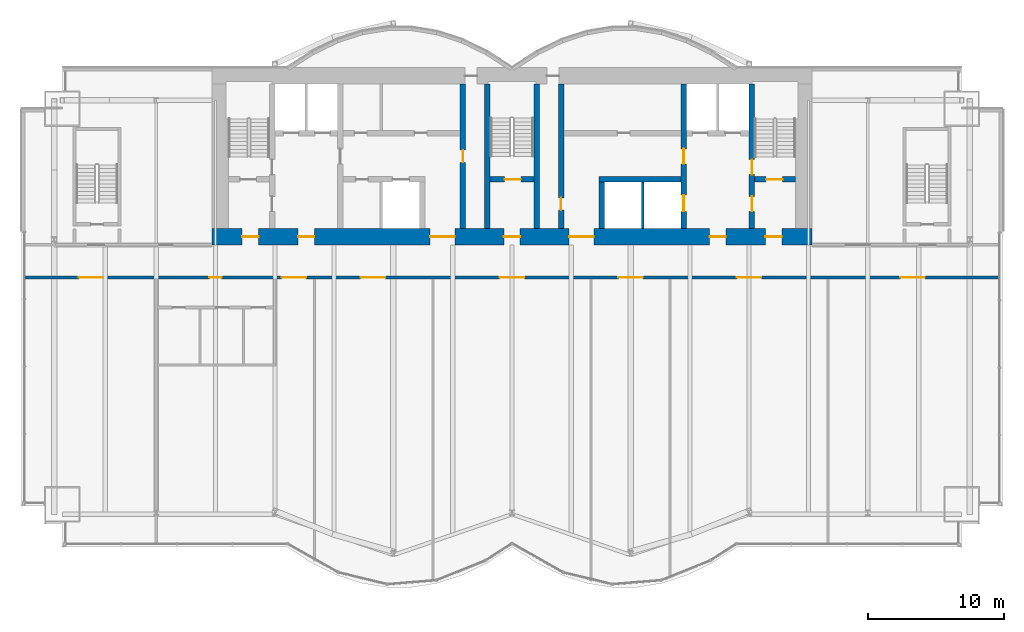
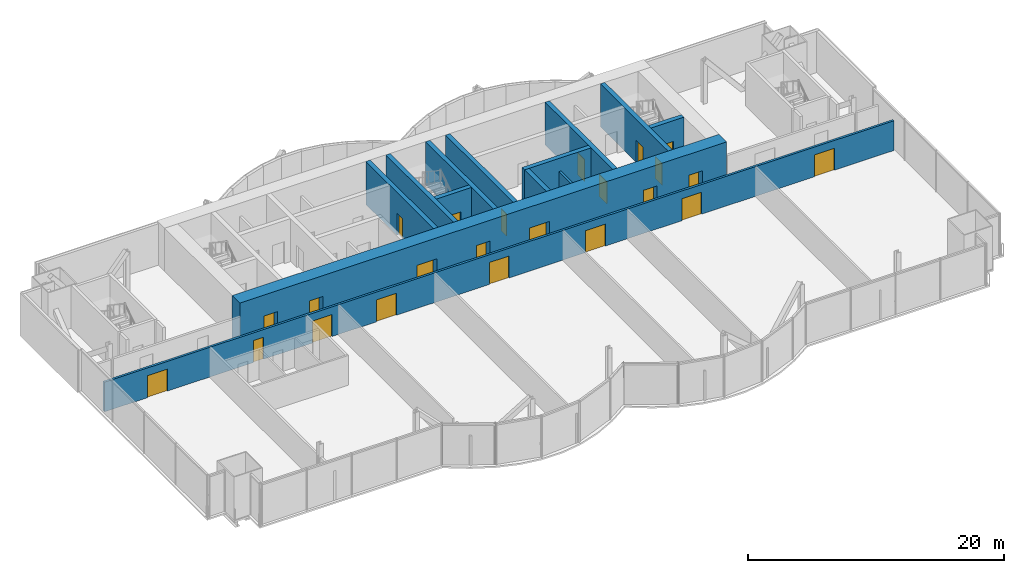
# One storey, part 16 of 21: 23 doors, 13 walls, 23 openings.
"""IFC4 building model written with IfcOpenShell, lengths in metres."""

from ifc_helpers import new_model, si_unit, direction, frame, frame_2d, origin, place, context, subcontext, project, spatial, rectangle, extrude, material, layer, layer_set, type_object, element, fill, save


model = new_model("IFC4")

# Units and contexts
model_context = context("Model", 3, precision=1e-05, world=origin(), true_north=direction((0.0, 1.0)))
body_context = subcontext(model_context, "Body", "Model", "MODEL_VIEW")
ifc_project = project(units=[si_unit("LENGTHUNIT", "METRE"), si_unit("AREAUNIT", "SQUARE_METRE"), si_unit("VOLUMEUNIT", "CUBIC_METRE"), si_unit("PLANEANGLEUNIT", "RADIAN"), si_unit("MASSUNIT", "GRAM", prefix="KILO")], contexts=[model_context])

# Site, building, storey
site_placement = place(None, origin())
site = spatial("IfcSite", under=ifc_project, at=site_placement, CompositionType="ELEMENT")
building_placement = place(site_placement, origin())
building = spatial("IfcBuilding", under=site, at=building_placement, Name="Bicima Exchange Tower", CompositionType="ELEMENT")
storey_placement = place(building_placement, frame((0.0, 0.0, 156.800048828125)))
storey = spatial("IfcBuildingStorey", under=building, at=storey_placement, Name="L34", CompositionType="ELEMENT", Elevation=156.800048828125)

# Wall
ifc_material_1 = material(Name="Gypsum board partition")
ifc_layer_1 = layer(ifc_material_1, 0.199951171875)
ifc_layer_set_1 = layer_set([ifc_layer_1], Name="Gypsum board partition")
wall_type_1 = type_object("IfcWallType", Name="Fire-rated gypsum partition 200 EI120", PredefinedType="PARTITIONING", material=ifc_layer_set_1)
wall_1_placement = place(storey_placement, frame((9.60009765625, -11.800048828125, 0.0), z_axis=(0.0, 0.0, 1.0), x_axis=(0.0, 1.0, 0.0)))
element("IfcWall", 1, at=wall_1_placement, inside=storey, type_object=wall_type_1, Name="partition wall 19", PredefinedType="PARTITIONING", context=body_context, shape_type="SweptSolid", body=[
    extrude(rectangle(XDim=3.400146484375, YDim=0.199951171875, at=frame_2d((1.7001953125, 0.0))), origin(), (0.0, 0.0, 1.0), 2.84033203125),
])

# Wall, openings, doors
ifc_layer_2 = layer(ifc_material_1, 0.199951171875)
ifc_layer_set_2 = layer_set([ifc_layer_2], Name="Gypsum board partition")
wall_type_2 = type_object("IfcWallType", Name="Fire-rated gypsum partition 200 EI60", PredefinedType="PARTITIONING", material=ifc_layer_set_2)
wall_2_placement = place(storey_placement, frame((-35.679931640625, -15.39990234375, 0.0), z_axis=(0.0, 0.0, 1.0), x_axis=(1.0, 0.0, 0.0)))
wall_2 = element("IfcWall", 2, at=wall_2_placement, inside=storey, type_object=wall_type_2, Name="partition wall 3", PredefinedType="PARTITIONING", context=body_context, shape_type="SweptSolid", body=[
    extrude(rectangle(XDim=71.35986328125, YDim=0.199951171875, at=frame_2d((35.679931640625, 0.0))), origin(), (0.0, 0.0, 1.0), 2.84033203125),
])
opening_1_placement = place(wall_2_placement, frame((3.89990234375, 0.0, 0.0)))
opening_1 = element("IfcOpeningElement", 3, at=opening_1_placement, cuts=wall_2, Name="Opening L34-007", PredefinedType="OPENING", context=body_context, shape_type="SweptSolid", body=[
    extrude(rectangle(XDim=1.800048828125, YDim=2.10009765625, at=frame_2d((0.89990234375, 1.050048828125))), frame((0.0, 0.11181640625, 0.0), z_axis=(0.0, -1.0, 0.0), x_axis=(1.0, 0.0, 0.0)), (0.0, 0.0, 1.0), 0.223876953125),
])
opening_2_placement = place(wall_2_placement, frame((13.47998046875, 0.0, 0.0)))
opening_2 = element("IfcOpeningElement", 4, at=opening_2_placement, cuts=wall_2, Name="Opening L34-008", PredefinedType="OPENING", context=body_context, shape_type="SweptSolid", body=[
    extrude(rectangle(XDim=0.89990234375, YDim=2.10009765625, at=frame_2d((0.449951171875, 1.050048828125))), frame((0.0, 0.11181640625, 0.0), z_axis=(0.0, -1.0, 0.0), x_axis=(1.0, 0.0, 0.0)), (0.0, 0.0, 1.0), 0.223876953125),
])
opening_3_placement = place(wall_2_placement, frame((18.780029296875, 0.0, 0.0)))
opening_3 = element("IfcOpeningElement", 5, at=opening_3_placement, cuts=wall_2, Name="Opening L34-012", PredefinedType="OPENING", context=body_context, shape_type="SweptSolid", body=[
    extrude(rectangle(XDim=1.800048828125, YDim=2.10009765625, at=frame_2d((0.89990234375, 1.050048828125))), frame((0.0, 0.11181640625, 0.0), z_axis=(0.0, -1.0, 0.0), x_axis=(1.0, 0.0, 0.0)), (0.0, 0.0, 1.0), 0.223876953125),
])
opening_4_placement = place(wall_2_placement, frame((24.580078125, 0.0, 0.0)))
opening_4 = element("IfcOpeningElement", 6, at=opening_4_placement, cuts=wall_2, Name="Opening L34-013", PredefinedType="OPENING", context=body_context, shape_type="SweptSolid", body=[
    extrude(rectangle(XDim=1.800048828125, YDim=2.10009765625, at=frame_2d((0.89990234375, 1.050048828125))), frame((0.0, 0.11181640625, 0.0), z_axis=(0.0, -1.0, 0.0), x_axis=(1.0, 0.0, 0.0)), (0.0, 0.0, 1.0), 0.223876953125),
])
opening_5_placement = place(wall_2_placement, frame((34.780029296875, 0.0, 0.0)))
opening_5 = element("IfcOpeningElement", 7, at=opening_5_placement, cuts=wall_2, Name="Opening L34-014", PredefinedType="OPENING", context=body_context, shape_type="SweptSolid", body=[
    extrude(rectangle(XDim=1.800048828125, YDim=2.10009765625, at=frame_2d((0.89990234375, 1.050048828125))), frame((0.0, 0.11181640625, 0.0), z_axis=(0.0, -1.0, 0.0), x_axis=(1.0, 0.0, 0.0)), (0.0, 0.0, 1.0), 0.223876953125),
])
opening_6_placement = place(wall_2_placement, frame((43.47998046875, 0.0, 0.0)))
opening_6 = element("IfcOpeningElement", 8, at=opening_6_placement, cuts=wall_2, Name="Opening L34-015", PredefinedType="OPENING", context=body_context, shape_type="SweptSolid", body=[
    extrude(rectangle(XDim=1.800048828125, YDim=2.10009765625, at=frame_2d((0.89990234375, 1.050048828125))), frame((0.0, 0.11181640625, 0.0), z_axis=(0.0, -1.0, 0.0), x_axis=(1.0, 0.0, 0.0)), (0.0, 0.0, 1.0), 0.223876953125),
])
opening_7_placement = place(wall_2_placement, frame((52.179931640625, 0.0, 0.0)))
opening_7 = element("IfcOpeningElement", 9, at=opening_7_placement, cuts=wall_2, Name="Opening L34-016", PredefinedType="OPENING", context=body_context, shape_type="SweptSolid", body=[
    extrude(rectangle(XDim=1.800048828125, YDim=2.10009765625, at=frame_2d((0.89990234375, 1.050048828125))), frame((0.0, 0.11181640625, 0.0), z_axis=(0.0, -1.0, 0.0), x_axis=(1.0, 0.0, 0.0)), (0.0, 0.0, 1.0), 0.223876953125),
])
opening_8_placement = place(wall_2_placement, frame((64.179931640625, 0.0, 0.0)))
opening_8 = element("IfcOpeningElement", 10, at=opening_8_placement, cuts=wall_2, Name="Opening L34-017", PredefinedType="OPENING", context=body_context, shape_type="SweptSolid", body=[
    extrude(rectangle(XDim=1.800048828125, YDim=2.10009765625, at=frame_2d((0.89990234375, 1.050048828125))), frame((0.0, 0.11181640625, 0.0), z_axis=(0.0, -1.0, 0.0), x_axis=(1.0, 0.0, 0.0)), (0.0, 0.0, 1.0), 0.223876953125),
])
ifc_material_2 = material(Name="Steel fire door leaf", Category="steel")
door_type_1 = type_object("IfcDoorType", Name="Door 1800 double swing FD30S", OperationType="DOUBLE_DOOR_SINGLE_SWING", PredefinedType="DOOR", material=ifc_material_2)
door_1_placement = place(opening_1_placement, origin())
door_1 = element("IfcDoor", 11, at=door_1_placement, inside=storey, type_object=door_type_1, Name="Door", OperationType="SINGLE_SWING_LEFT", OverallHeight=2.10009765625, OverallWidth=1.800048828125, PredefinedType="DOOR", context=body_context, shape_type="SweptSolid", body=[
    extrude(rectangle(XDim=1.800048828125, YDim=2.10009765625, at=frame_2d((0.89990234375, 1.050048828125))), frame((0.0, 0.02490234375, 0.0), z_axis=(0.0, -1.0, 0.0), x_axis=(1.0, 0.0, 0.0)), (0.0, 0.0, 1.0), 0.050048828125),
])
fill(opening_1, door_1)
door_2_placement = place(opening_3_placement, origin())
door_2 = element("IfcDoor", 12, at=door_2_placement, inside=storey, type_object=door_type_1, Name="Door", OperationType="SINGLE_SWING_LEFT", OverallHeight=2.10009765625, OverallWidth=1.800048828125, PredefinedType="DOOR", context=body_context, shape_type="SweptSolid", body=[
    extrude(rectangle(XDim=1.800048828125, YDim=2.10009765625, at=frame_2d((0.89990234375, 1.050048828125))), frame((0.0, 0.02490234375, 0.0), z_axis=(0.0, -1.0, 0.0), x_axis=(1.0, 0.0, 0.0)), (0.0, 0.0, 1.0), 0.050048828125),
])
fill(opening_3, door_2)
door_3_placement = place(opening_4_placement, origin())
door_3 = element("IfcDoor", 13, at=door_3_placement, inside=storey, type_object=door_type_1, Name="Door", OperationType="SINGLE_SWING_LEFT", OverallHeight=2.10009765625, OverallWidth=1.800048828125, PredefinedType="DOOR", context=body_context, shape_type="SweptSolid", body=[
    extrude(rectangle(XDim=1.800048828125, YDim=2.10009765625, at=frame_2d((0.89990234375, 1.050048828125))), frame((0.0, 0.02490234375, 0.0), z_axis=(0.0, -1.0, 0.0), x_axis=(1.0, 0.0, 0.0)), (0.0, 0.0, 1.0), 0.050048828125),
])
fill(opening_4, door_3)
door_4_placement = place(opening_5_placement, origin())
door_4 = element("IfcDoor", 14, at=door_4_placement, inside=storey, type_object=door_type_1, Name="Door", OperationType="SINGLE_SWING_LEFT", OverallHeight=2.10009765625, OverallWidth=1.800048828125, PredefinedType="DOOR", context=body_context, shape_type="SweptSolid", body=[
    extrude(rectangle(XDim=1.800048828125, YDim=2.10009765625, at=frame_2d((0.89990234375, 1.050048828125))), frame((0.0, 0.02490234375, 0.0), z_axis=(0.0, -1.0, 0.0), x_axis=(1.0, 0.0, 0.0)), (0.0, 0.0, 1.0), 0.050048828125),
])
fill(opening_5, door_4)
door_5_placement = place(opening_6_placement, origin())
door_5 = element("IfcDoor", 15, at=door_5_placement, inside=storey, type_object=door_type_1, Name="Door", OperationType="SINGLE_SWING_LEFT", OverallHeight=2.10009765625, OverallWidth=1.800048828125, PredefinedType="DOOR", context=body_context, shape_type="SweptSolid", body=[
    extrude(rectangle(XDim=1.800048828125, YDim=2.10009765625, at=frame_2d((0.89990234375, 1.050048828125))), frame((0.0, 0.02490234375, 0.0), z_axis=(0.0, -1.0, 0.0), x_axis=(1.0, 0.0, 0.0)), (0.0, 0.0, 1.0), 0.050048828125),
])
fill(opening_6, door_5)
door_6_placement = place(opening_7_placement, origin())
door_6 = element("IfcDoor", 16, at=door_6_placement, inside=storey, type_object=door_type_1, Name="Door", OperationType="SINGLE_SWING_LEFT", OverallHeight=2.10009765625, OverallWidth=1.800048828125, PredefinedType="DOOR", context=body_context, shape_type="SweptSolid", body=[
    extrude(rectangle(XDim=1.800048828125, YDim=2.10009765625, at=frame_2d((0.89990234375, 1.050048828125))), frame((0.0, 0.02490234375, 0.0), z_axis=(0.0, -1.0, 0.0), x_axis=(1.0, 0.0, 0.0)), (0.0, 0.0, 1.0), 0.050048828125),
])
fill(opening_7, door_6)
door_7_placement = place(opening_8_placement, origin())
door_7 = element("IfcDoor", 17, at=door_7_placement, inside=storey, type_object=door_type_1, Name="Door", OperationType="SINGLE_SWING_LEFT", OverallHeight=2.10009765625, OverallWidth=1.800048828125, PredefinedType="DOOR", context=body_context, shape_type="SweptSolid", body=[
    extrude(rectangle(XDim=1.800048828125, YDim=2.10009765625, at=frame_2d((0.89990234375, 1.050048828125))), frame((0.0, 0.02490234375, 0.0), z_axis=(0.0, -1.0, 0.0), x_axis=(1.0, 0.0, 0.0)), (0.0, 0.0, 1.0), 0.050048828125),
])
fill(opening_8, door_7)
door_type_2 = type_object("IfcDoorType", Name="Door 900 swing FD30S", OperationType="SINGLE_SWING_LEFT", PredefinedType="DOOR", material=ifc_material_2)
door_8_placement = place(opening_2_placement, frame((0.89990234375, 0.0, 0.0), z_axis=(0.0, 0.0, 1.0), x_axis=(-1.0, 0.0, 0.0)))
door_8 = element("IfcDoor", 18, at=door_8_placement, inside=storey, type_object=door_type_2, Name="Door", OperationType="SINGLE_SWING_RIGHT", OverallHeight=2.10009765625, OverallWidth=0.89990234375, PredefinedType="DOOR", context=body_context, shape_type="SweptSolid", body=[
    extrude(rectangle(XDim=0.89990234375, YDim=2.10009765625, at=frame_2d((0.449951171875, 1.050048828125))), frame((0.0, 0.02490234375, 0.0), z_axis=(0.0, -1.0, 0.0), x_axis=(1.0, 0.0, 0.0)), (0.0, 0.0, 1.0), 0.050048828125),
])
fill(opening_2, door_8)

ifc_material_3 = material(Name="Concrete C50/60", Category="concrete")
ifc_layer_3 = layer(ifc_material_3, 1.199951171875)
ifc_layer_set_3 = layer_set([ifc_layer_3], Name="Concrete C50/60")
wall_type_3 = type_object("IfcWallType", Name="RC core wall 1200 C50/60", PredefinedType="SHEAR", material=ifc_layer_set_3)
wall_3_placement = place(storey_placement, frame((-22.0, -12.39990234375, 0.0), z_axis=(0.0, 0.0, 1.0), x_axis=(1.0, 0.0, 0.0)))
wall_3 = element("IfcWall", 19, at=wall_3_placement, inside=storey, type_object=wall_type_3, Name="Core wall south", PredefinedType="SHEAR", context=body_context, shape_type="SweptSolid", body=[
    extrude(rectangle(XDim=44.0, YDim=1.199951171875, at=frame_2d((22.0, 0.0))), origin(), (0.0, 0.0, 1.0), 4.099853515625),
])
opening_9_placement = place(wall_3_placement, frame((2.199951171875, 0.0, 0.0)))
opening_9 = element("IfcOpeningElement", 20, at=opening_9_placement, cuts=wall_3, Name="Opening L34-C18", PredefinedType="OPENING", context=body_context, shape_type="SweptSolid", body=[
    extrude(rectangle(XDim=1.199951171875, YDim=2.10009765625, at=frame_2d((0.60009765625, 1.050048828125))), frame((0.0, 0.61181640625, 0.0), z_axis=(0.0, -1.0, 0.0), x_axis=(1.0, 0.0, 0.0)), (0.0, 0.0, 1.0), 1.223876953125),
])
opening_10_placement = place(wall_3_placement, frame((21.39990234375, 0.0, 0.0)))
opening_10 = element("IfcOpeningElement", 21, at=opening_10_placement, cuts=wall_3, Name="Opening L34-C19", PredefinedType="OPENING", context=body_context, shape_type="SweptSolid", body=[
    extrude(rectangle(XDim=1.199951171875, YDim=2.10009765625, at=frame_2d((0.60009765625, 1.050048828125))), frame((0.0, 0.61181640625, 0.0), z_axis=(0.0, -1.0, 0.0), x_axis=(1.0, 0.0, 0.0)), (0.0, 0.0, 1.0), 1.223876953125),
])
opening_11_placement = place(wall_3_placement, frame((40.60009765625, 0.0, 0.0)))
opening_11 = element("IfcOpeningElement", 22, at=opening_11_placement, cuts=wall_3, Name="Opening L34-C20", PredefinedType="OPENING", context=body_context, shape_type="SweptSolid", body=[
    extrude(rectangle(XDim=1.199951171875, YDim=2.10009765625, at=frame_2d((0.60009765625, 1.050048828125))), frame((0.0, 0.61181640625, 0.0), z_axis=(0.0, -1.0, 0.0), x_axis=(1.0, 0.0, 0.0)), (0.0, 0.0, 1.0), 1.223876953125),
])
opening_12_placement = place(wall_3_placement, frame((16.0, 0.0, 0.0)))
opening_12 = element("IfcOpeningElement", 23, at=opening_12_placement, cuts=wall_3, Name="Opening L34-C21", PredefinedType="OPENING", context=body_context, shape_type="SweptSolid", body=[
    extrude(rectangle(XDim=1.800048828125, YDim=2.10009765625, at=frame_2d((0.89990234375, 1.050048828125))), frame((0.0, 0.61181640625, 0.0), z_axis=(0.0, -1.0, 0.0), x_axis=(1.0, 0.0, 0.0)), (0.0, 0.0, 1.0), 1.223876953125),
])
opening_13_placement = place(wall_3_placement, frame((6.300048828125, 0.0, 0.0)))
opening_13 = element("IfcOpeningElement", 24, at=opening_13_placement, cuts=wall_3, Name="Opening L34-C22", PredefinedType="OPENING", context=body_context, shape_type="SweptSolid", body=[
    extrude(rectangle(XDim=1.199951171875, YDim=2.10009765625, at=frame_2d((0.60009765625, 1.050048828125))), frame((0.0, 0.61181640625, 0.0), z_axis=(0.0, -1.0, 0.0), x_axis=(1.0, 0.0, 0.0)), (0.0, 0.0, 1.0), 1.223876953125),
])
opening_14_placement = place(wall_3_placement, frame((26.199951171875, 0.0, 0.0)))
opening_14 = element("IfcOpeningElement", 25, at=opening_14_placement, cuts=wall_3, Name="Opening L34-C23", PredefinedType="OPENING", context=body_context, shape_type="SweptSolid", body=[
    extrude(rectangle(XDim=1.800048828125, YDim=2.10009765625, at=frame_2d((0.89990234375, 1.050048828125))), frame((0.0, 0.61181640625, 0.0), z_axis=(0.0, -1.0, 0.0), x_axis=(1.0, 0.0, 0.0)), (0.0, 0.0, 1.0), 1.223876953125),
])
opening_15_placement = place(wall_3_placement, frame((36.5, 0.0, 0.0)))
opening_15 = element("IfcOpeningElement", 26, at=opening_15_placement, cuts=wall_3, Name="Opening L34-C24", PredefinedType="OPENING", context=body_context, shape_type="SweptSolid", body=[
    extrude(rectangle(XDim=1.199951171875, YDim=2.10009765625, at=frame_2d((0.60009765625, 1.050048828125))), frame((0.0, 0.61181640625, 0.0), z_axis=(0.0, -1.0, 0.0), x_axis=(1.0, 0.0, 0.0)), (0.0, 0.0, 1.0), 1.223876953125),
])
door_type_3 = type_object("IfcDoorType", Name="Door 1200 swing FD60S", OperationType="SINGLE_SWING_LEFT", PredefinedType="DOOR", material=ifc_material_2)
door_9_placement = place(opening_9_placement, frame((1.199951171875, 0.0, 0.0), z_axis=(0.0, 0.0, 1.0), x_axis=(-1.0, 0.0, 0.0)))
door_9 = element("IfcDoor", 27, at=door_9_placement, inside=storey, type_object=door_type_3, Name="Core door", OperationType="SINGLE_SWING_RIGHT", OverallHeight=2.10009765625, OverallWidth=1.199951171875, PredefinedType="DOOR", context=body_context, shape_type="SweptSolid", body=[
    extrude(rectangle(XDim=1.199951171875, YDim=2.10009765625, at=frame_2d((0.60009765625, 1.050048828125))), frame((0.0, 0.02490234375, 0.0), z_axis=(0.0, -1.0, 0.0), x_axis=(1.0, 0.0, 0.0)), (0.0, 0.0, 1.0), 0.050048828125),
])
fill(opening_9, door_9)
door_10_placement = place(opening_10_placement, frame((1.199951171875, 0.0, 0.0), z_axis=(0.0, 0.0, 1.0), x_axis=(-1.0, 0.0, 0.0)))
door_10 = element("IfcDoor", 28, at=door_10_placement, inside=storey, type_object=door_type_3, Name="Core door", OperationType="SINGLE_SWING_RIGHT", OverallHeight=2.10009765625, OverallWidth=1.199951171875, PredefinedType="DOOR", context=body_context, shape_type="SweptSolid", body=[
    extrude(rectangle(XDim=1.199951171875, YDim=2.10009765625, at=frame_2d((0.60009765625, 1.050048828125))), frame((0.0, 0.02490234375, 0.0), z_axis=(0.0, -1.0, 0.0), x_axis=(1.0, 0.0, 0.0)), (0.0, 0.0, 1.0), 0.050048828125),
])
fill(opening_10, door_10)
door_11_placement = place(opening_11_placement, frame((1.199951171875, 0.0, 0.0), z_axis=(0.0, 0.0, 1.0), x_axis=(-1.0, 0.0, 0.0)))
door_11 = element("IfcDoor", 29, at=door_11_placement, inside=storey, type_object=door_type_3, Name="Core door", OperationType="SINGLE_SWING_RIGHT", OverallHeight=2.10009765625, OverallWidth=1.199951171875, PredefinedType="DOOR", context=body_context, shape_type="SweptSolid", body=[
    extrude(rectangle(XDim=1.199951171875, YDim=2.10009765625, at=frame_2d((0.60009765625, 1.050048828125))), frame((0.0, 0.02490234375, 0.0), z_axis=(0.0, -1.0, 0.0), x_axis=(1.0, 0.0, 0.0)), (0.0, 0.0, 1.0), 0.050048828125),
])
fill(opening_11, door_11)
door_12_placement = place(opening_13_placement, frame((1.199951171875, 0.0, 0.0), z_axis=(0.0, 0.0, 1.0), x_axis=(-1.0, 0.0, 0.0)))
door_12 = element("IfcDoor", 30, at=door_12_placement, inside=storey, type_object=door_type_3, Name="Core door", OperationType="SINGLE_SWING_RIGHT", OverallHeight=2.10009765625, OverallWidth=1.199951171875, PredefinedType="DOOR", context=body_context, shape_type="SweptSolid", body=[
    extrude(rectangle(XDim=1.199951171875, YDim=2.10009765625, at=frame_2d((0.60009765625, 1.050048828125))), frame((0.0, 0.02490234375, 0.0), z_axis=(0.0, -1.0, 0.0), x_axis=(1.0, 0.0, 0.0)), (0.0, 0.0, 1.0), 0.050048828125),
])
fill(opening_13, door_12)
door_13_placement = place(opening_15_placement, frame((1.199951171875, 0.0, 0.0), z_axis=(0.0, 0.0, 1.0), x_axis=(-1.0, 0.0, 0.0)))
door_13 = element("IfcDoor", 31, at=door_13_placement, inside=storey, type_object=door_type_3, Name="Core door", OperationType="SINGLE_SWING_RIGHT", OverallHeight=2.10009765625, OverallWidth=1.199951171875, PredefinedType="DOOR", context=body_context, shape_type="SweptSolid", body=[
    extrude(rectangle(XDim=1.199951171875, YDim=2.10009765625, at=frame_2d((0.60009765625, 1.050048828125))), frame((0.0, 0.02490234375, 0.0), z_axis=(0.0, -1.0, 0.0), x_axis=(1.0, 0.0, 0.0)), (0.0, 0.0, 1.0), 0.050048828125),
])
fill(opening_15, door_13)
door_14_placement = place(opening_12_placement, origin())
door_14 = element("IfcDoor", 32, at=door_14_placement, inside=storey, type_object=door_type_1, Name="Core door", OperationType="SINGLE_SWING_LEFT", OverallHeight=2.10009765625, OverallWidth=1.800048828125, PredefinedType="DOOR", context=body_context, shape_type="SweptSolid", body=[
    extrude(rectangle(XDim=1.800048828125, YDim=2.10009765625, at=frame_2d((0.89990234375, 1.050048828125))), frame((0.0, 0.02490234375, 0.0), z_axis=(0.0, -1.0, 0.0), x_axis=(1.0, 0.0, 0.0)), (0.0, 0.0, 1.0), 0.050048828125),
])
fill(opening_12, door_14)
door_15_placement = place(opening_14_placement, origin())
door_15 = element("IfcDoor", 33, at=door_15_placement, inside=storey, type_object=door_type_1, Name="Core door", OperationType="SINGLE_SWING_LEFT", OverallHeight=2.10009765625, OverallWidth=1.800048828125, PredefinedType="DOOR", context=body_context, shape_type="SweptSolid", body=[
    extrude(rectangle(XDim=1.800048828125, YDim=2.10009765625, at=frame_2d((0.89990234375, 1.050048828125))), frame((0.0, 0.02490234375, 0.0), z_axis=(0.0, -1.0, 0.0), x_axis=(1.0, 0.0, 0.0)), (0.0, 0.0, 1.0), 0.050048828125),
])
fill(opening_14, door_15)

# Wall, opening, door
ifc_layer_4 = layer(ifc_material_3, 0.39990234375)
ifc_layer_set_4 = layer_set([ifc_layer_4], Name="Concrete C50/60")
wall_type_4 = type_object("IfcWallType", Name="RC core wall 400 C50/60", PredefinedType="SHEAR", material=ifc_layer_set_4)
wall_4_placement = place(storey_placement, frame((-1.60009765625, -8.199951171875, 0.0), z_axis=(0.0, 0.0, 1.0), x_axis=(1.0, 0.0, 0.0)))
wall_4 = element("IfcWall", 34, at=wall_4_placement, inside=storey, type_object=wall_type_4, Name="stair wall 3", PredefinedType="SHEAR", context=body_context, shape_type="SweptSolid", body=[
    extrude(rectangle(XDim=3.2001953125, YDim=0.39990234375, at=frame_2d((1.60009765625, 0.0))), origin(), (0.0, 0.0, 1.0), 4.099853515625),
])
opening_16_placement = place(wall_4_placement, frame((1.050048828125, 0.0, 0.0)))
opening_16 = element("IfcOpeningElement", 35, at=opening_16_placement, cuts=wall_4, Name="Opening L34-C03", PredefinedType="OPENING", context=body_context, shape_type="SweptSolid", body=[
    extrude(rectangle(XDim=1.199951171875, YDim=2.10009765625, at=frame_2d((0.60009765625, 1.050048828125))), frame((0.0, 0.2119140625, 0.0), z_axis=(0.0, -1.0, 0.0), x_axis=(1.0, 0.0, 0.0)), (0.0, 0.0, 1.0), 0.423828125),
])
door_16_placement = place(opening_16_placement, origin())
door_16 = element("IfcDoor", 36, at=door_16_placement, inside=storey, type_object=door_type_3, Name="Core door", OperationType="SINGLE_SWING_LEFT", OverallHeight=2.10009765625, OverallWidth=1.199951171875, PredefinedType="DOOR", context=body_context, shape_type="SweptSolid", body=[
    extrude(rectangle(XDim=1.199951171875, YDim=2.10009765625, at=frame_2d((0.60009765625, 1.050048828125))), frame((0.0, 0.02490234375, 0.0), z_axis=(0.0, -1.0, 0.0), x_axis=(1.0, 0.0, 0.0)), (0.0, 0.0, 1.0), 0.050048828125),
])
fill(opening_16, door_16)

# Wall
wall_5_placement = place(storey_placement, frame((6.39990234375, -8.199951171875, 0.0), z_axis=(0.0, 0.0, 1.0), x_axis=(1.0, 0.0, 0.0)))
element("IfcWall", 37, at=wall_5_placement, inside=storey, type_object=wall_type_4, Name="shear wall 4", PredefinedType="SHEAR", context=body_context, shape_type="SweptSolid", body=[
    extrude(rectangle(XDim=6.0, YDim=0.39990234375, at=frame_2d((3.0, 0.0))), origin(), (0.0, 0.0, 1.0), 4.099853515625),
])

# Wall, opening, door
wall_6_placement = place(storey_placement, frame((17.800048828125, -8.199951171875, 0.0), z_axis=(0.0, 0.0, 1.0), x_axis=(1.0, 0.0, 0.0)))
wall_6 = element("IfcWall", 38, at=wall_6_placement, inside=storey, type_object=wall_type_4, Name="stair wall 5", PredefinedType="SHEAR", context=body_context, shape_type="SweptSolid", body=[
    extrude(rectangle(XDim=3.0, YDim=0.39990234375, at=frame_2d((1.5, 0.0))), origin(), (0.0, 0.0, 1.0), 4.099853515625),
])
opening_17_placement = place(wall_6_placement, frame((0.85009765625, 0.0, 0.0)))
opening_17 = element("IfcOpeningElement", 39, at=opening_17_placement, cuts=wall_6, Name="Opening L34-C04", PredefinedType="OPENING", context=body_context, shape_type="SweptSolid", body=[
    extrude(rectangle(XDim=1.199951171875, YDim=2.10009765625, at=frame_2d((0.60009765625, 1.050048828125))), frame((0.0, 0.2119140625, 0.0), z_axis=(0.0, -1.0, 0.0), x_axis=(1.0, 0.0, 0.0)), (0.0, 0.0, 1.0), 0.423828125),
])
door_17_placement = place(opening_17_placement, origin())
door_17 = element("IfcDoor", 40, at=door_17_placement, inside=storey, type_object=door_type_3, Name="Core door", OperationType="SINGLE_SWING_RIGHT", OverallHeight=2.10009765625, OverallWidth=1.199951171875, PredefinedType="DOOR", context=body_context, shape_type="SweptSolid", body=[
    extrude(rectangle(XDim=1.199951171875, YDim=2.10009765625, at=frame_2d((0.60009765625, 1.050048828125))), frame((0.0, 0.02490234375, 0.0), z_axis=(0.0, -1.0, 0.0), x_axis=(1.0, 0.0, 0.0)), (0.0, 0.0, 1.0), 0.050048828125),
])
fill(opening_17, door_17)

wall_7_placement = place(storey_placement, frame((-3.60009765625, -11.800048828125, 0.0), z_axis=(0.0, 0.0, 1.0), x_axis=(0.0, 1.0, 0.0)))
wall_7 = element("IfcWall", 41, at=wall_7_placement, inside=storey, type_object=wall_type_4, Name="shear wall 14", PredefinedType="SHEAR", context=body_context, shape_type="SweptSolid", body=[
    extrude(rectangle(XDim=10.60009765625, YDim=0.39990234375, at=frame_2d((5.300048828125, 0.0))), origin(), (0.0, 0.0, 1.0), 4.099853515625),
])
opening_18_placement = place(wall_7_placement, frame((4.85009765625, 0.0, 0.0)))
opening_18 = element("IfcOpeningElement", 42, at=opening_18_placement, cuts=wall_7, Name="Opening L34-C10", PredefinedType="OPENING", context=body_context, shape_type="SweptSolid", body=[
    extrude(rectangle(XDim=0.89990234375, YDim=2.10009765625, at=frame_2d((0.449951171875, 1.050048828125))), frame((0.0, 0.2119140625, 0.0), z_axis=(0.0, -1.0, 0.0), x_axis=(1.0, 0.0, 0.0)), (0.0, 0.0, 1.0), 0.423828125),
])
door_18_placement = place(opening_18_placement, frame((0.89990234375, 0.0, 0.0), z_axis=(0.0, 0.0, 1.0), x_axis=(-1.0, 0.0, 0.0)))
door_18 = element("IfcDoor", 43, at=door_18_placement, inside=storey, type_object=door_type_2, Name="Core door", OperationType="SINGLE_SWING_LEFT", OverallHeight=2.10009765625, OverallWidth=0.89990234375, PredefinedType="DOOR", context=body_context, shape_type="SweptSolid", body=[
    extrude(rectangle(XDim=0.89990234375, YDim=2.10009765625, at=frame_2d((0.449951171875, 1.050048828125))), frame((0.0, 0.02490234375, 0.0), z_axis=(0.0, -1.0, 0.0), x_axis=(1.0, 0.0, 0.0)), (0.0, 0.0, 1.0), 0.050048828125),
])
fill(opening_18, door_18)

# Walls
for number, where, z_axis, x_axis, name in (
    (44, (-1.800048828125, -11.800048828125, 0.0), (0.0, 0.0, 1.0), (0.0, 1.0, 0.0), "stair wall 15"),
    (45, (1.800048828125, -11.800048828125, 0.0), (0.0, 0.0, 1.0), (0.0, 1.0, 0.0), "stair wall 16"),
):
    element("IfcWall", number, at=place(storey_placement, frame(where, z_axis=z_axis, x_axis=x_axis)), inside=storey, type_object=wall_type_4, Name=name, PredefinedType="SHEAR", context=body_context, shape_type="SweptSolid", body=[
        extrude(rectangle(XDim=10.60009765625, YDim=0.39990234375, at=frame_2d((5.300048828125, 0.0))), origin(), (0.0, 0.0, 1.0), 4.099853515625),
    ])

# Wall, opening, door
wall_8_placement = place(storey_placement, frame((3.60009765625, -11.800048828125, 0.0), z_axis=(0.0, 0.0, 1.0), x_axis=(0.0, 1.0, 0.0)))
wall_8 = element("IfcWall", 46, at=wall_8_placement, inside=storey, type_object=wall_type_4, Name="shear wall 17", PredefinedType="SHEAR", context=body_context, shape_type="SweptSolid", body=[
    extrude(rectangle(XDim=10.60009765625, YDim=0.39990234375, at=frame_2d((5.300048828125, 0.0))), origin(), (0.0, 0.0, 1.0), 4.099853515625),
])
opening_19_placement = place(wall_8_placement, frame((1.35009765625, 0.0, 0.0)))
opening_19 = element("IfcOpeningElement", 47, at=opening_19_placement, cuts=wall_8, Name="Opening L34-C11", PredefinedType="OPENING", context=body_context, shape_type="SweptSolid", body=[
    extrude(rectangle(XDim=0.89990234375, YDim=2.10009765625, at=frame_2d((0.449951171875, 1.050048828125))), frame((0.0, 0.2119140625, 0.0), z_axis=(0.0, -1.0, 0.0), x_axis=(1.0, 0.0, 0.0)), (0.0, 0.0, 1.0), 0.423828125),
])
door_19_placement = place(opening_19_placement, origin())
door_19 = element("IfcDoor", 48, at=door_19_placement, inside=storey, type_object=door_type_2, Name="Core door", OperationType="SINGLE_SWING_LEFT", OverallHeight=2.10009765625, OverallWidth=0.89990234375, PredefinedType="DOOR", context=body_context, shape_type="SweptSolid", body=[
    extrude(rectangle(XDim=0.89990234375, YDim=2.10009765625, at=frame_2d((0.449951171875, 1.050048828125))), frame((0.0, 0.02490234375, 0.0), z_axis=(0.0, -1.0, 0.0), x_axis=(1.0, 0.0, 0.0)), (0.0, 0.0, 1.0), 0.050048828125),
])
fill(opening_19, door_19)

# Wall
wall_9_placement = place(storey_placement, frame((6.60009765625, -11.800048828125, 0.0), z_axis=(0.0, 0.0, 1.0), x_axis=(0.0, 1.0, 0.0)))
element("IfcWall", 49, at=wall_9_placement, inside=storey, type_object=wall_type_4, Name="shear wall 18", PredefinedType="SHEAR", context=body_context, shape_type="SweptSolid", body=[
    extrude(rectangle(XDim=3.400146484375, YDim=0.39990234375, at=frame_2d((1.7001953125, 0.0))), origin(), (0.0, 0.0, 1.0), 4.099853515625),
])

# Wall, openings, doors
wall_10_placement = place(storey_placement, frame((12.60009765625, -11.800048828125, 0.0), z_axis=(0.0, 0.0, 1.0), x_axis=(0.0, 1.0, 0.0)))
wall_10 = element("IfcWall", 50, at=wall_10_placement, inside=storey, type_object=wall_type_4, Name="shear wall 20", PredefinedType="SHEAR", context=body_context, shape_type="SweptSolid", body=[
    extrude(rectangle(XDim=10.60009765625, YDim=0.39990234375, at=frame_2d((5.300048828125, 0.0))), origin(), (0.0, 0.0, 1.0), 4.099853515625),
])
opening_20_placement = place(wall_10_placement, frame((1.25, 0.0, 0.0)))
opening_20 = element("IfcOpeningElement", 51, at=opening_20_placement, cuts=wall_10, Name="Opening LD-MB2-L34", PredefinedType="OPENING", context=body_context, shape_type="SweptSolid", body=[
    extrude(rectangle(XDim=1.199951171875, YDim=2.10009765625, at=frame_2d((0.60009765625, 1.050048828125))), frame((0.0, 0.2119140625, 0.0), z_axis=(0.0, -1.0, 0.0), x_axis=(1.0, 0.0, 0.0)), (0.0, 0.0, 1.0), 0.423828125),
])
opening_21_placement = place(wall_10_placement, frame((4.75, 0.0, 0.0)))
opening_21 = element("IfcOpeningElement", 52, at=opening_21_placement, cuts=wall_10, Name="Opening L34-C09", PredefinedType="OPENING", context=body_context, shape_type="SweptSolid", body=[
    extrude(rectangle(XDim=1.10009765625, YDim=2.10009765625, at=frame_2d((0.550048828125, 1.050048828125))), frame((0.0, 0.2119140625, 0.0), z_axis=(0.0, -1.0, 0.0), x_axis=(1.0, 0.0, 0.0)), (0.0, 0.0, 1.0), 0.423828125),
])
door_type_4 = type_object("IfcDoorType", Name="Door 1100 swing FD60S", OperationType="SINGLE_SWING_LEFT", PredefinedType="DOOR", material=ifc_material_2)
door_20_placement = place(opening_21_placement, frame((1.10009765625, 0.0, 0.0), z_axis=(0.0, 0.0, 1.0), x_axis=(-1.0, 0.0, 0.0)))
door_20 = element("IfcDoor", 53, at=door_20_placement, inside=storey, type_object=door_type_4, Name="Core door", OperationType="SINGLE_SWING_RIGHT", OverallHeight=2.10009765625, OverallWidth=1.10009765625, PredefinedType="DOOR", context=body_context, shape_type="SweptSolid", body=[
    extrude(rectangle(XDim=1.10009765625, YDim=2.10009765625, at=frame_2d((0.550048828125, 1.050048828125))), frame((0.0, 0.02490234375, 0.0), z_axis=(0.0, -1.0, 0.0), x_axis=(1.0, 0.0, 0.0)), (0.0, 0.0, 1.0), 0.050048828125),
])
fill(opening_21, door_20)
ifc_material_4 = material(Name="Stainless steel", Category="steel")
door_type_5 = type_object("IfcDoorType", Name="Lift landing door 1200 sliding", OperationType="DOUBLE_DOOR_SLIDING", PredefinedType="DOOR", material=ifc_material_4)
door_21_placement = place(opening_20_placement, origin())
door_21 = element("IfcDoor", 54, at=door_21_placement, inside=storey, type_object=door_type_5, Name="Lift landing door MB2", OperationType="DOUBLE_DOOR_SLIDING", OverallHeight=2.10009765625, OverallWidth=1.199951171875, PredefinedType="DOOR", context=body_context, shape_type="SweptSolid", body=[
    extrude(rectangle(XDim=1.199951171875, YDim=2.10009765625, at=frame_2d((0.60009765625, 1.050048828125))), frame((0.0, 0.02490234375, 0.0), z_axis=(0.0, -1.0, 0.0), x_axis=(1.0, 0.0, 0.0)), (0.0, 0.0, 1.0), 0.050048828125),
])
fill(opening_20, door_21)

wall_11_placement = place(storey_placement, frame((17.60009765625, -11.800048828125, 0.0), z_axis=(0.0, 0.0, 1.0), x_axis=(0.0, 1.0, 0.0)))
wall_11 = element("IfcWall", 55, at=wall_11_placement, inside=storey, type_object=wall_type_4, Name="stair wall 22", PredefinedType="SHEAR", context=body_context, shape_type="SweptSolid", body=[
    extrude(rectangle(XDim=10.60009765625, YDim=0.39990234375, at=frame_2d((5.300048828125, 0.0))), origin(), (0.0, 0.0, 1.0), 4.099853515625),
])
opening_22_placement = place(wall_11_placement, frame((1.25, 0.0, 0.0)))
opening_22 = element("IfcOpeningElement", 56, at=opening_22_placement, cuts=wall_11, Name="Opening L34-C05", PredefinedType="OPENING", context=body_context, shape_type="SweptSolid", body=[
    extrude(rectangle(XDim=1.10009765625, YDim=2.10009765625, at=frame_2d((0.550048828125, 1.050048828125))), frame((0.0, 0.2119140625, 0.0), z_axis=(0.0, -1.0, 0.0), x_axis=(1.0, 0.0, 0.0)), (0.0, 0.0, 1.0), 0.423828125),
])
opening_23_placement = place(wall_11_placement, frame((3.949951171875, 0.0, 0.0)))
opening_23 = element("IfcOpeningElement", 57, at=opening_23_placement, cuts=wall_11, Name="Opening L34-C08", PredefinedType="OPENING", context=body_context, shape_type="SweptSolid", body=[
    extrude(rectangle(XDim=1.10009765625, YDim=2.10009765625, at=frame_2d((0.550048828125, 1.050048828125))), frame((0.0, 0.2119140625, 0.0), z_axis=(0.0, -1.0, 0.0), x_axis=(1.0, 0.0, 0.0)), (0.0, 0.0, 1.0), 0.423828125),
])
door_22_placement = place(opening_22_placement, origin())
door_22 = element("IfcDoor", 58, at=door_22_placement, inside=storey, type_object=door_type_4, Name="Core door", OperationType="SINGLE_SWING_LEFT", OverallHeight=2.10009765625, OverallWidth=1.10009765625, PredefinedType="DOOR", context=body_context, shape_type="SweptSolid", body=[
    extrude(rectangle(XDim=1.10009765625, YDim=2.10009765625, at=frame_2d((0.550048828125, 1.050048828125))), frame((0.0, 0.02490234375, 0.0), z_axis=(0.0, -1.0, 0.0), x_axis=(1.0, 0.0, 0.0)), (0.0, 0.0, 1.0), 0.050048828125),
])
fill(opening_22, door_22)
door_23_placement = place(opening_23_placement, origin())
door_23 = element("IfcDoor", 59, at=door_23_placement, inside=storey, type_object=door_type_4, Name="Core door", OperationType="SINGLE_SWING_RIGHT", OverallHeight=2.10009765625, OverallWidth=1.10009765625, PredefinedType="DOOR", context=body_context, shape_type="SweptSolid", body=[
    extrude(rectangle(XDim=1.10009765625, YDim=2.10009765625, at=frame_2d((0.550048828125, 1.050048828125))), frame((0.0, 0.02490234375, 0.0), z_axis=(0.0, -1.0, 0.0), x_axis=(1.0, 0.0, 0.0)), (0.0, 0.0, 1.0), 0.050048828125),
])
fill(opening_23, door_23)

save(model, "model.ifc")
